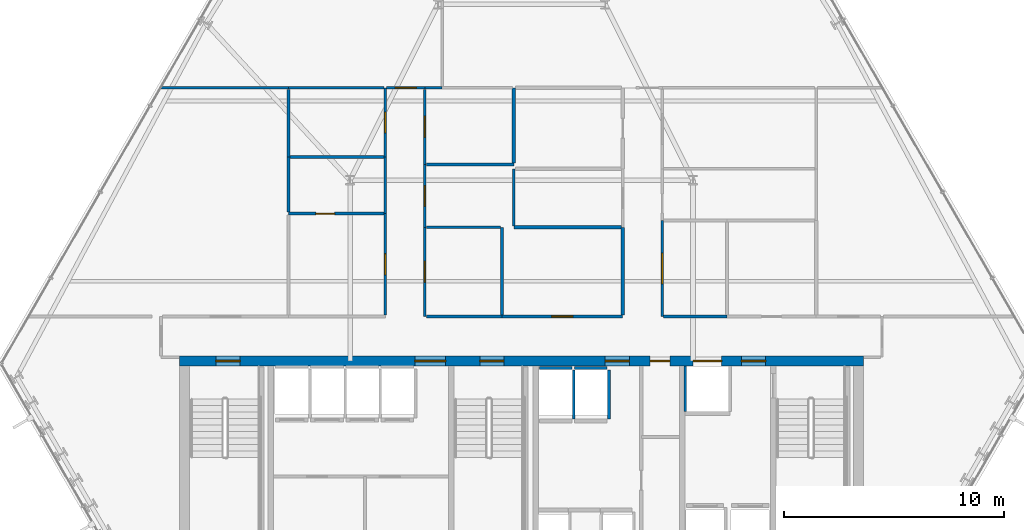
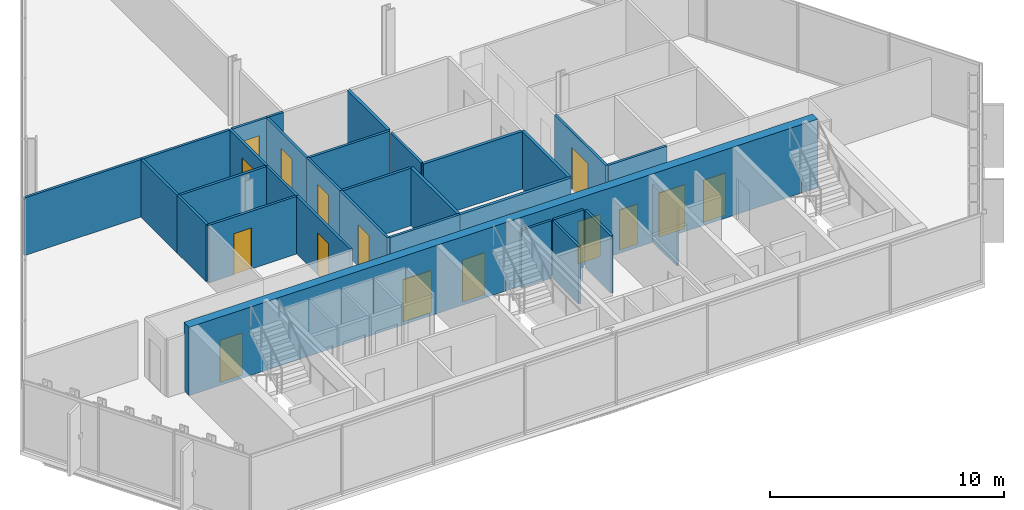
# One storey, part 27 of 33: 31 walls, 16 doors, 16 openings.
"""IFC4 building model written with IfcOpenShell, lengths in metres."""

from ifc_helpers import new_model, si_unit, direction, frame, frame_2d, origin, place, context, subcontext, project, spatial, rectangle, extrude, material, layer, layer_set, type_object, element, fill, save


model = new_model("IFC4")

# Units and contexts
model_context = context("Model", 3, precision=1e-05, world=origin(), true_north=direction((0.0, 1.0)))
body_context = subcontext(model_context, "Body", "Model", "MODEL_VIEW")
ifc_project = project(units=[si_unit("LENGTHUNIT", "METRE"), si_unit("AREAUNIT", "SQUARE_METRE"), si_unit("VOLUMEUNIT", "CUBIC_METRE"), si_unit("PLANEANGLEUNIT", "RADIAN"), si_unit("MASSUNIT", "GRAM", prefix="KILO")], contexts=[model_context])

# Site, building, storey
site_placement = place(None, origin())
site = spatial("IfcSite", under=ifc_project, at=site_placement, CompositionType="ELEMENT")
building_placement = place(site_placement, origin())
building = spatial("IfcBuilding", under=site, at=building_placement, Name="Ndaravel Arena Tower", CompositionType="ELEMENT")
storey_placement = place(building_placement, frame((0.0, 0.0, 153.60009765625)))
storey = spatial("IfcBuildingStorey", under=building, at=storey_placement, Name="L36", CompositionType="ELEMENT", Elevation=153.60009765625)

# Wall, openings, doors
ifc_material_1 = material(Name="Concrete C60/75", Category="concrete")
ifc_layer_1 = layer(ifc_material_1, 0.449951171875)
ifc_layer_set_1 = layer_set([ifc_layer_1], Name="Concrete C60/75")
wall_type_1 = type_object("IfcWallType", Name="WALL-CORE-450", PredefinedType="SOLIDWALL", material=ifc_layer_set_1)
wall_1_placement = place(storey_placement, frame((26.449951171875, 14.97509765625, 0.0), z_axis=(0.0, 0.0, 1.0), x_axis=(1.0, 0.0, 0.0)))
wall_1 = element("IfcWall", 1, at=wall_1_placement, inside=storey, type_object=wall_type_1, Name="L36 Core North Shear Wall", PredefinedType="SOLIDWALL", context=body_context, shape_type="SweptSolid", body=[
    extrude(rectangle(XDim=31.10009765625, YDim=0.449951171875, at=frame_2d((15.550048828125, 0.0))), origin(), (0.0, 0.0, 1.0), 3.579833984375),
])
opening_1_placement = place(wall_1_placement, frame((1.64990234375, 0.0, 0.0)))
opening_1 = element("IfcOpeningElement", 2, at=opening_1_placement, cuts=wall_1, Name="Opening FD-01", PredefinedType="OPENING", context=body_context, shape_type="SweptSolid", body=[
    extrude(rectangle(XDim=1.10009765625, YDim=2.199951171875, at=frame_2d((0.550048828125, 1.10009765625))), frame((0.0, 0.22509765625, 0.0), z_axis=(0.0, -1.0, 0.0), x_axis=(1.0, 0.0, 0.0)), (0.0, 0.0, 1.0), 0.449951171875),
])
opening_2_placement = place(wall_1_placement, frame((13.64990234375, 0.0, 0.0)))
opening_2 = element("IfcOpeningElement", 3, at=opening_2_placement, cuts=wall_1, Name="Opening FD-01", PredefinedType="OPENING", context=body_context, shape_type="SweptSolid", body=[
    extrude(rectangle(XDim=1.10009765625, YDim=2.199951171875, at=frame_2d((0.550048828125, 1.10009765625))), frame((0.0, 0.22509765625, 0.0), z_axis=(0.0, -1.0, 0.0), x_axis=(1.0, 0.0, 0.0)), (0.0, 0.0, 1.0), 0.449951171875),
])
opening_3_placement = place(wall_1_placement, frame((25.550048828125, 0.0, 0.0)))
opening_3 = element("IfcOpeningElement", 4, at=opening_3_placement, cuts=wall_1, Name="Opening FD-01", PredefinedType="OPENING", context=body_context, shape_type="SweptSolid", body=[
    extrude(rectangle(XDim=1.10009765625, YDim=2.199951171875, at=frame_2d((0.550048828125, 1.10009765625))), frame((0.0, 0.22509765625, 0.0), z_axis=(0.0, -1.0, 0.0), x_axis=(1.0, 0.0, 0.0)), (0.0, 0.0, 1.0), 0.449951171875),
])
opening_4_placement = place(wall_1_placement, frame((10.699951171875, 0.0, 0.0)))
opening_4 = element("IfcOpeningElement", 5, at=opening_4_placement, cuts=wall_1, Name="Opening ID-02", PredefinedType="OPENING", context=body_context, shape_type="SweptSolid", body=[
    extrude(rectangle(XDim=1.39990234375, YDim=2.199951171875, at=frame_2d((0.699951171875, 1.10009765625))), frame((0.0, 0.22509765625, 0.0), z_axis=(0.0, -1.0, 0.0), x_axis=(1.0, 0.0, 0.0)), (0.0, 0.0, 1.0), 0.449951171875),
])
opening_5_placement = place(wall_1_placement, frame((19.35009765625, 0.0, 0.0)))
opening_5 = element("IfcOpeningElement", 6, at=opening_5_placement, cuts=wall_1, Name="Opening FD-01", PredefinedType="OPENING", context=body_context, shape_type="SweptSolid", body=[
    extrude(rectangle(XDim=1.10009765625, YDim=2.199951171875, at=frame_2d((0.550048828125, 1.10009765625))), frame((0.0, 0.22509765625, 0.0), z_axis=(0.0, -1.0, 0.0), x_axis=(1.0, 0.0, 0.0)), (0.0, 0.0, 1.0), 0.449951171875),
])
opening_6_placement = place(wall_1_placement, frame((21.39990234375, 0.0, 0.0)))
opening_6 = element("IfcOpeningElement", 7, at=opening_6_placement, cuts=wall_1, Name="Opening RD-01", PredefinedType="OPENING", context=body_context, shape_type="SweptSolid", body=[
    extrude(rectangle(XDim=0.89990234375, YDim=2.10009765625, at=frame_2d((0.449951171875, 1.050048828125))), frame((0.0, 0.22509765625, 0.0), z_axis=(0.0, -1.0, 0.0), x_axis=(1.0, 0.0, 0.0)), (0.0, 0.0, 1.0), 0.449951171875),
])
opening_7_placement = place(wall_1_placement, frame((23.35009765625, 0.0, 0.0)))
opening_7 = element("IfcOpeningElement", 8, at=opening_7_placement, cuts=wall_1, Name="Opening LD-02", PredefinedType="OPENING", context=body_context, shape_type="SweptSolid", body=[
    extrude(rectangle(XDim=1.300048828125, YDim=2.300048828125, at=frame_2d((0.64990234375, 1.14990234375))), frame((0.0, 0.22509765625, 0.0), z_axis=(0.0, -1.0, 0.0), x_axis=(1.0, 0.0, 0.0)), (0.0, 0.0, 1.0), 0.449951171875),
])
ifc_material_2 = material(Name="Steel S355", Category="steel")
door_type_1 = type_object("IfcDoorType", Name="DT-01-STAIR-1100", OperationType="SINGLE_SWING_LEFT", PredefinedType="DOOR", material=ifc_material_2)
door_1_placement = place(opening_1_placement, origin())
door_1 = element("IfcDoor", 9, at=door_1_placement, inside=storey, type_object=door_type_1, Name="L36 Exit Stair ST-1 Door", OperationType="SINGLE_SWING_LEFT", OverallHeight=2.199951171875, OverallWidth=1.10009765625, PredefinedType="DOOR", context=body_context, shape_type="SweptSolid", body=[
    extrude(rectangle(XDim=1.10009765625, YDim=2.199951171875, at=frame_2d((0.550048828125, 1.10009765625))), frame((0.0, 0.02490234375, 0.0), z_axis=(0.0, -1.0, 0.0), x_axis=(1.0, 0.0, 0.0)), (0.0, 0.0, 1.0), 0.050048828125),
])
fill(opening_1, door_1)
door_2_placement = place(opening_2_placement, origin())
door_2 = element("IfcDoor", 10, at=door_2_placement, inside=storey, type_object=door_type_1, Name="L36 Exit Stair ST-2 Door", OperationType="SINGLE_SWING_RIGHT", OverallHeight=2.199951171875, OverallWidth=1.10009765625, PredefinedType="DOOR", context=body_context, shape_type="SweptSolid", body=[
    extrude(rectangle(XDim=1.10009765625, YDim=2.199951171875, at=frame_2d((0.550048828125, 1.10009765625))), frame((0.0, 0.02490234375, 0.0), z_axis=(0.0, -1.0, 0.0), x_axis=(1.0, 0.0, 0.0)), (0.0, 0.0, 1.0), 0.050048828125),
])
fill(opening_2, door_2)
door_3_placement = place(opening_3_placement, origin())
door_3 = element("IfcDoor", 11, at=door_3_placement, inside=storey, type_object=door_type_1, Name="L36 Firefighting Lift Lobby Door", OperationType="SINGLE_SWING_RIGHT", OverallHeight=2.199951171875, OverallWidth=1.10009765625, PredefinedType="DOOR", context=body_context, shape_type="SweptSolid", body=[
    extrude(rectangle(XDim=1.10009765625, YDim=2.199951171875, at=frame_2d((0.550048828125, 1.10009765625))), frame((0.0, 0.02490234375, 0.0), z_axis=(0.0, -1.0, 0.0), x_axis=(1.0, 0.0, 0.0)), (0.0, 0.0, 1.0), 0.050048828125),
])
fill(opening_3, door_3)
door_4_placement = place(opening_5_placement, origin())
door_4 = element("IfcDoor", 12, at=door_4_placement, inside=storey, type_object=door_type_1, Name="L36 Express Lift Lobby Entry Door", OperationType="SINGLE_SWING_LEFT", OverallHeight=2.199951171875, OverallWidth=1.10009765625, PredefinedType="DOOR", context=body_context, shape_type="SweptSolid", body=[
    extrude(rectangle(XDim=1.10009765625, YDim=2.199951171875, at=frame_2d((0.550048828125, 1.10009765625))), frame((0.0, 0.02490234375, 0.0), z_axis=(0.0, -1.0, 0.0), x_axis=(1.0, 0.0, 0.0)), (0.0, 0.0, 1.0), 0.050048828125),
])
fill(opening_5, door_4)
ifc_material_3 = material(Name="Timber", Category="wood")
door_type_2 = type_object("IfcDoorType", Name="DT-04-SUITE-1400", OperationType="DOUBLE_DOOR_SINGLE_SWING", PredefinedType="DOOR", material=ifc_material_3)
door_5_placement = place(opening_4_placement, origin())
door_5 = element("IfcDoor", 13, at=door_5_placement, inside=storey, type_object=door_type_2, Name="L36 West Lift Lobby Entry Door", OperationType="DOUBLE_DOOR_SINGLE_SWING", OverallHeight=2.199951171875, OverallWidth=1.39990234375, PredefinedType="DOOR", context=body_context, shape_type="SweptSolid", body=[
    extrude(rectangle(XDim=1.39990234375, YDim=2.199951171875, at=frame_2d((0.699951171875, 1.10009765625))), frame((0.0, 0.02490234375, 0.0), z_axis=(0.0, -1.0, 0.0), x_axis=(1.0, 0.0, 0.0)), (0.0, 0.0, 1.0), 0.050048828125),
])
fill(opening_4, door_5)
ifc_material_4 = material(Name="Steel S355", Category="steel")
door_type_3 = type_object("IfcDoorType", Name="DT-07-SVLIFT-1300", OperationType="DOUBLE_DOOR_SLIDING", PredefinedType="DOOR", material=ifc_material_4)
door_6_placement = place(opening_7_placement, origin())
door_6 = element("IfcDoor", 14, at=door_6_placement, inside=storey, type_object=door_type_3, Name="L36 Lift SVL-1 Sliding Landing Door", OperationType="DOUBLE_DOOR_SLIDING", OverallHeight=2.300048828125, OverallWidth=1.300048828125, PredefinedType="DOOR", context=body_context, shape_type="SweptSolid", body=[
    extrude(rectangle(XDim=1.300048828125, YDim=2.300048828125, at=frame_2d((0.64990234375, 1.14990234375))), frame((0.0, 0.02490234375, 0.0), z_axis=(0.0, -1.0, 0.0), x_axis=(1.0, 0.0, 0.0)), (0.0, 0.0, 1.0), 0.050048828125),
])
fill(opening_7, door_6)
ifc_material_5 = material(Name="Steel S355", Category="steel")
door_type_4 = type_object("IfcDoorType", Name="DT-08-RISER-900", OperationType="SINGLE_SWING_LEFT", PredefinedType="DOOR", material=ifc_material_5)
door_7_placement = place(opening_6_placement, origin())
door_7 = element("IfcDoor", 15, at=door_7_placement, inside=storey, type_object=door_type_4, Name="L36 Core Service Riser North Door", OperationType="SINGLE_SWING_LEFT", OverallHeight=2.10009765625, OverallWidth=0.89990234375, PredefinedType="DOOR", context=body_context, shape_type="SweptSolid", body=[
    extrude(rectangle(XDim=0.89990234375, YDim=2.10009765625, at=frame_2d((0.449951171875, 1.050048828125))), frame((0.0, 0.02490234375, 0.0), z_axis=(0.0, -1.0, 0.0), x_axis=(1.0, 0.0, 0.0)), (0.0, 0.0, 1.0), 0.050048828125),
])
fill(opening_6, door_7)

# Wall, opening, door
ifc_material_6 = material(Name="Gypsum", Category="gypsum")
ifc_layer_2 = layer(ifc_material_6, 0.125)
ifc_layer_set_2 = layer_set([ifc_layer_2], Name="Gypsum")
wall_type_2 = type_object("IfcWallType", Name="WALL-PART-125", PredefinedType="PARTITIONING", material=ifc_layer_set_2)
wall_2_placement = place(storey_placement, frame((35.800048828125, 17.06494140625, 0.0), z_axis=(0.0, 0.0, 1.0), x_axis=(0.0, 1.0, 0.0)))
wall_2 = element("IfcWall", 16, at=wall_2_placement, inside=storey, type_object=wall_type_2, Name="L36 Interior Partition 007", PredefinedType="PARTITIONING", context=body_context, shape_type="SweptSolid", body=[
    extrude(rectangle(XDim=4.614990234375, YDim=0.125, at=frame_2d((2.3076171875, 0.0))), origin(), (0.0, 0.0, 1.0), 3.010498046875),
])
opening_8_placement = place(wall_2_placement, frame((1.83251953125, 0.0, 0.0)))
opening_8 = element("IfcOpeningElement", 17, at=opening_8_placement, cuts=wall_2, Name="Opening ID-01", PredefinedType="OPENING", context=body_context, shape_type="SweptSolid", body=[
    extrude(rectangle(XDim=0.949951171875, YDim=2.199951171875, at=frame_2d((0.47509765625, 1.10009765625))), frame((0.0, 0.0625, 0.0), z_axis=(0.0, -1.0, 0.0), x_axis=(1.0, 0.0, 0.0)), (0.0, 0.0, 1.0), 0.125),
])
ifc_material_7 = material(Name="Timber", Category="wood")
door_type_5 = type_object("IfcDoorType", Name="DT-03-OFFICE-950", OperationType="SINGLE_SWING_LEFT", PredefinedType="DOOR", material=ifc_material_7)
door_8_placement = place(opening_8_placement, origin())
door_8 = element("IfcDoor", 18, at=door_8_placement, inside=storey, type_object=door_type_5, Name="L36 Project Seminar Room 3 Door", OperationType="SINGLE_SWING_LEFT", OverallHeight=2.199951171875, OverallWidth=0.949951171875, PredefinedType="DOOR", context=body_context, shape_type="SweptSolid", body=[
    extrude(rectangle(XDim=0.949951171875, YDim=2.199951171875, at=frame_2d((0.47509765625, 1.10009765625))), frame((0.0, 0.02490234375, 0.0), z_axis=(0.0, -1.0, 0.0), x_axis=(1.0, 0.0, 0.0)), (0.0, 0.0, 1.0), 0.050048828125),
])
fill(opening_8, door_8)

# Wall
wall_3_placement = place(storey_placement, frame((35.800048828125, 21.679931640625, 0.0), z_axis=(0.0, 0.0, 1.0), x_axis=(0.0, 1.0, 0.0)))
element("IfcWall", 19, at=wall_3_placement, inside=storey, type_object=wall_type_2, Name="L36 Interior Partition 008", PredefinedType="PARTITIONING", context=body_context, shape_type="SweptSolid", body=[
    extrude(rectangle(XDim=2.573974609375, YDim=0.125, at=frame_2d((1.287109375, 0.0))), origin(), (0.0, 0.0, 1.0), 3.010498046875),
])

# Wall, opening, door
wall_4_placement = place(storey_placement, frame((35.800048828125, 24.25390625, 0.0), z_axis=(0.0, 0.0, 1.0), x_axis=(0.0, 1.0, 0.0)))
wall_4 = element("IfcWall", 20, at=wall_4_placement, inside=storey, type_object=wall_type_2, Name="L36 Interior Partition 009", PredefinedType="PARTITIONING", context=body_context, shape_type="SweptSolid", body=[
    extrude(rectangle(XDim=3.14599609375, YDim=0.125, at=frame_2d((1.572998046875, 0.0))), origin(), (0.0, 0.0, 1.0), 3.010498046875),
])
opening_9_placement = place(wall_4_placement, frame((1.097900390625, 0.0, 0.0)))
opening_9 = element("IfcOpeningElement", 21, at=opening_9_placement, cuts=wall_4, Name="Opening ID-01", PredefinedType="OPENING", context=body_context, shape_type="SweptSolid", body=[
    extrude(rectangle(XDim=0.949951171875, YDim=2.199951171875, at=frame_2d((0.47509765625, 1.10009765625))), frame((0.0, 0.0625, 0.0), z_axis=(0.0, -1.0, 0.0), x_axis=(1.0, 0.0, 0.0)), (0.0, 0.0, 1.0), 0.125),
])
door_9_placement = place(opening_9_placement, origin())
door_9 = element("IfcDoor", 22, at=door_9_placement, inside=storey, type_object=door_type_5, Name="L36 Project Seminar Room 7 Door", OperationType="SINGLE_SWING_LEFT", OverallHeight=2.199951171875, OverallWidth=0.949951171875, PredefinedType="DOOR", context=body_context, shape_type="SweptSolid", body=[
    extrude(rectangle(XDim=0.949951171875, YDim=2.199951171875, at=frame_2d((0.47509765625, 1.10009765625))), frame((0.0, 0.02490234375, 0.0), z_axis=(0.0, -1.0, 0.0), x_axis=(1.0, 0.0, 0.0)), (0.0, 0.0, 1.0), 0.050048828125),
])
fill(opening_9, door_9)

wall_5_placement = place(storey_placement, frame((35.864990234375, 27.39990234375, 0.0), z_axis=(0.0, 0.0, 1.0), x_axis=(1.0, 0.0, 0.0)))
wall_5 = element("IfcWall", 23, at=wall_5_placement, inside=storey, type_object=wall_type_2, Name="L36 Interior Partition 010", PredefinedType="PARTITIONING", context=body_context, shape_type="SweptSolid", body=[
    extrude(rectangle(XDim=1.735107421875, YDim=0.125, at=frame_2d((0.86767578125, 0.0))), origin(), (0.0, 0.0, 1.0), 3.010498046875),
])
opening_10_placement = place(wall_5_placement, frame((0.392578125, 0.0, 0.0)))
opening_10 = element("IfcOpeningElement", 24, at=opening_10_placement, cuts=wall_5, Name="Opening ID-01", PredefinedType="OPENING", context=body_context, shape_type="SweptSolid", body=[
    extrude(rectangle(XDim=0.949951171875, YDim=2.199951171875, at=frame_2d((0.47509765625, 1.10009765625))), frame((0.0, 0.0625, 0.0), z_axis=(0.0, -1.0, 0.0), x_axis=(1.0, 0.0, 0.0)), (0.0, 0.0, 1.0), 0.125),
])
door_10_placement = place(opening_10_placement, origin())
door_10 = element("IfcDoor", 25, at=door_10_placement, inside=storey, type_object=door_type_5, Name="L36 Tenant Reception Suite 7 Door", OperationType="SINGLE_SWING_RIGHT", OverallHeight=2.199951171875, OverallWidth=0.949951171875, PredefinedType="DOOR", context=body_context, shape_type="SweptSolid", body=[
    extrude(rectangle(XDim=0.949951171875, YDim=2.199951171875, at=frame_2d((0.47509765625, 1.10009765625))), frame((0.0, 0.02490234375, 0.0), z_axis=(0.0, -1.0, 0.0), x_axis=(1.0, 0.0, 0.0)), (0.0, 0.0, 1.0), 0.050048828125),
])
fill(opening_10, door_10)

wall_6_placement = place(storey_placement, frame((37.60009765625, 27.3349609375, 0.0), z_axis=(0.0, 0.0, 1.0), x_axis=(0.0, -1.0, 0.0)))
wall_6 = element("IfcWall", 26, at=wall_6_placement, inside=storey, type_object=wall_type_2, Name="L36 Interior Partition 011", PredefinedType="PARTITIONING", context=body_context, shape_type="SweptSolid", body=[
    extrude(rectangle(XDim=3.424072265625, YDim=0.125, at=frame_2d((1.7119140625, 0.0))), origin(), (0.0, 0.0, 1.0), 3.010498046875),
])
opening_11_placement = place(wall_6_placement, frame((1.237060546875, 0.0, 0.0)))
opening_11 = element("IfcOpeningElement", 27, at=opening_11_placement, cuts=wall_6, Name="Opening ID-01", PredefinedType="OPENING", context=body_context, shape_type="SweptSolid", body=[
    extrude(rectangle(XDim=0.949951171875, YDim=2.199951171875, at=frame_2d((0.47509765625, 1.10009765625))), frame((0.0, 0.0625, 0.0), z_axis=(0.0, -1.0, 0.0), x_axis=(1.0, 0.0, 0.0)), (0.0, 0.0, 1.0), 0.125),
])
door_11_placement = place(opening_11_placement, origin())
door_11 = element("IfcDoor", 28, at=door_11_placement, inside=storey, type_object=door_type_5, Name="L36 Concierge Arrival Salon 6 Door", OperationType="SINGLE_SWING_RIGHT", OverallHeight=2.199951171875, OverallWidth=0.949951171875, PredefinedType="DOOR", context=body_context, shape_type="SweptSolid", body=[
    extrude(rectangle(XDim=0.949951171875, YDim=2.199951171875, at=frame_2d((0.47509765625, 1.10009765625))), frame((0.0, 0.02490234375, 0.0), z_axis=(0.0, -1.0, 0.0), x_axis=(1.0, 0.0, 0.0)), (0.0, 0.0, 1.0), 0.050048828125),
])
fill(opening_11, door_11)

wall_7_placement = place(storey_placement, frame((37.60009765625, 23.910888671875, 0.0), z_axis=(0.0, 0.0, 1.0), x_axis=(0.0, -1.0, 0.0)))
wall_7 = element("IfcWall", 29, at=wall_7_placement, inside=storey, type_object=wall_type_2, Name="L36 Interior Partition 012", PredefinedType="PARTITIONING", context=body_context, shape_type="SweptSolid", body=[
    extrude(rectangle(XDim=2.85498046875, YDim=0.125, at=frame_2d((1.427490234375, 0.0))), origin(), (0.0, 0.0, 1.0), 3.010498046875),
])
opening_12_placement = place(wall_7_placement, frame((0.952392578125, 0.0, 0.0)))
opening_12 = element("IfcOpeningElement", 30, at=opening_12_placement, cuts=wall_7, Name="Opening ID-01", PredefinedType="OPENING", context=body_context, shape_type="SweptSolid", body=[
    extrude(rectangle(XDim=0.949951171875, YDim=2.199951171875, at=frame_2d((0.47509765625, 1.10009765625))), frame((0.0, 0.0625, 0.0), z_axis=(0.0, -1.0, 0.0), x_axis=(1.0, 0.0, 0.0)), (0.0, 0.0, 1.0), 0.125),
])
door_12_placement = place(opening_12_placement, origin())
door_12 = element("IfcDoor", 31, at=door_12_placement, inside=storey, type_object=door_type_5, Name="L36 Client Concierge Parlour 4 Door", OperationType="SINGLE_SWING_LEFT", OverallHeight=2.199951171875, OverallWidth=0.949951171875, PredefinedType="DOOR", context=body_context, shape_type="SweptSolid", body=[
    extrude(rectangle(XDim=0.949951171875, YDim=2.199951171875, at=frame_2d((0.47509765625, 1.10009765625))), frame((0.0, 0.02490234375, 0.0), z_axis=(0.0, -1.0, 0.0), x_axis=(1.0, 0.0, 0.0)), (0.0, 0.0, 1.0), 0.050048828125),
])
fill(opening_12, door_12)

wall_8_placement = place(storey_placement, frame((37.60009765625, 21.055908203125, 0.0), z_axis=(0.0, 0.0, 1.0), x_axis=(0.0, -1.0, 0.0)))
wall_8 = element("IfcWall", 32, at=wall_8_placement, inside=storey, type_object=wall_type_2, Name="L36 Interior Partition 013", PredefinedType="PARTITIONING", context=body_context, shape_type="SweptSolid", body=[
    extrude(rectangle(XDim=4.055908203125, YDim=0.125, at=frame_2d((2.02783203125, 0.0))), origin(), (0.0, 0.0, 1.0), 3.010498046875),
])
opening_13_placement = place(wall_8_placement, frame((1.552978515625, 0.0, 0.0)))
opening_13 = element("IfcOpeningElement", 33, at=opening_13_placement, cuts=wall_8, Name="Opening ID-01", PredefinedType="OPENING", context=body_context, shape_type="SweptSolid", body=[
    extrude(rectangle(XDim=0.949951171875, YDim=2.199951171875, at=frame_2d((0.47509765625, 1.10009765625))), frame((0.0, 0.0625, 0.0), z_axis=(0.0, -1.0, 0.0), x_axis=(1.0, 0.0, 0.0)), (0.0, 0.0, 1.0), 0.125),
])
door_13_placement = place(opening_13_placement, origin())
door_13 = element("IfcDoor", 34, at=door_13_placement, inside=storey, type_object=door_type_5, Name="L36 Floor Security Control Room Door", OperationType="SINGLE_SWING_LEFT", OverallHeight=2.199951171875, OverallWidth=0.949951171875, PredefinedType="DOOR", context=body_context, shape_type="SweptSolid", body=[
    extrude(rectangle(XDim=0.949951171875, YDim=2.199951171875, at=frame_2d((0.47509765625, 1.10009765625))), frame((0.0, 0.02490234375, 0.0), z_axis=(0.0, -1.0, 0.0), x_axis=(1.0, 0.0, 0.0)), (0.0, 0.0, 1.0), 0.050048828125),
])
fill(opening_13, door_13)

# Wall
wall_9_placement = place(storey_placement, frame((37.6650390625, 17.0, 0.0), z_axis=(0.0, 0.0, 1.0), x_axis=(1.0, 0.0, 0.0)))
element("IfcWall", 35, at=wall_9_placement, inside=storey, type_object=wall_type_2, Name="L36 Interior Partition 014", PredefinedType="PARTITIONING", context=body_context, shape_type="SweptSolid", body=[
    extrude(rectangle(XDim=3.445068359375, YDim=0.125, at=frame_2d((1.72265625, 0.0))), origin(), (0.0, 0.0, 1.0), 3.010498046875),
])

# Wall, opening, door
wall_10_placement = place(storey_placement, frame((48.39990234375, 21.367919921875, 0.0), z_axis=(0.0, 0.0, 1.0), x_axis=(0.0, -1.0, 0.0)))
wall_10 = element("IfcWall", 36, at=wall_10_placement, inside=storey, type_object=wall_type_2, Name="L36 Interior Partition 022", PredefinedType="PARTITIONING", context=body_context, shape_type="SweptSolid", body=[
    extrude(rectangle(XDim=4.367919921875, YDim=0.125, at=frame_2d((2.18408203125, 0.0))), origin(), (0.0, 0.0, 1.0), 3.010498046875),
])
opening_14_placement = place(wall_10_placement, frame((1.48388671875, 0.0, 0.0)))
opening_14 = element("IfcOpeningElement", 37, at=opening_14_placement, cuts=wall_10, Name="Opening ID-02", PredefinedType="OPENING", context=body_context, shape_type="SweptSolid", body=[
    extrude(rectangle(XDim=1.39990234375, YDim=2.199951171875, at=frame_2d((0.699951171875, 1.10009765625))), frame((0.0, 0.0625, 0.0), z_axis=(0.0, -1.0, 0.0), x_axis=(1.0, 0.0, 0.0)), (0.0, 0.0, 1.0), 0.125),
])
door_14_placement = place(opening_14_placement, origin())
door_14 = element("IfcDoor", 38, at=door_14_placement, inside=storey, type_object=door_type_2, Name="L36 Client Conference Room 2 Door", OperationType="SINGLE_SWING_LEFT", OverallHeight=2.199951171875, OverallWidth=1.39990234375, PredefinedType="DOOR", context=body_context, shape_type="SweptSolid", body=[
    extrude(rectangle(XDim=1.39990234375, YDim=2.199951171875, at=frame_2d((0.699951171875, 1.10009765625))), frame((0.0, 0.02490234375, 0.0), z_axis=(0.0, -1.0, 0.0), x_axis=(1.0, 0.0, 0.0)), (0.0, 0.0, 1.0), 0.050048828125),
])
fill(opening_14, door_14)

# Walls
wall_11_placement = place(storey_placement, frame((48.465087890625, 17.0, 0.0), z_axis=(0.0, 0.0, 1.0), x_axis=(1.0, 0.0, 0.0)))
element("IfcWall", 39, at=wall_11_placement, inside=storey, type_object=wall_type_2, Name="L36 Interior Partition 023", PredefinedType="PARTITIONING", context=body_context, shape_type="SweptSolid", body=[
    extrude(rectangle(XDim=2.875, YDim=0.125, at=frame_2d((1.4375, 0.0))), origin(), (0.0, 0.0, 1.0), 3.010498046875),
])
wall_12_placement = place(storey_placement, frame((37.6650390625, 21.055908203125, 0.0), z_axis=(0.0, 0.0, 1.0), x_axis=(1.0, 0.0, 0.0)))
element("IfcWall", 40, at=wall_12_placement, inside=storey, type_object=wall_type_2, Name="L36 Interior Partition 029", PredefinedType="PARTITIONING", context=body_context, shape_type="SweptSolid", body=[
    extrude(rectangle(XDim=3.3798828125, YDim=0.125, at=frame_2d((1.68994140625, 0.0))), origin(), (0.0, 0.0, 1.0), 3.010498046875),
])
wall_13_placement = place(storey_placement, frame((25.58056640625, 27.39990234375, 0.0), z_axis=(0.0, 0.0, 1.0), x_axis=(1.0, 0.0, 0.0)))
element("IfcWall", 41, at=wall_13_placement, inside=storey, type_object=wall_type_2, Name="L36 Interior Partition 040", PredefinedType="PARTITIONING", context=body_context, shape_type="SweptSolid", body=[
    extrude(rectangle(XDim=5.8193359375, YDim=0.125, at=frame_2d((2.90966796875, 0.0))), origin(), (0.0, 0.0, 1.0), 3.010498046875),
])
wall_14_placement = place(storey_placement, frame((31.39990234375, 27.3349609375, 0.0), z_axis=(0.0, 0.0, 1.0), x_axis=(0.0, -1.0, 0.0)))
element("IfcWall", 42, at=wall_14_placement, inside=storey, type_object=wall_type_2, Name="L36 Interior Partition 041", PredefinedType="PARTITIONING", context=body_context, shape_type="SweptSolid", body=[
    extrude(rectangle(XDim=3.0810546875, YDim=0.125, at=frame_2d((1.54052734375, 0.0))), origin(), (0.0, 0.0, 1.0), 3.010498046875),
])
wall_15_placement = place(storey_placement, frame((31.39990234375, 24.25390625, 0.0), z_axis=(0.0, 0.0, 1.0), x_axis=(0.0, -1.0, 0.0)))
element("IfcWall", 43, at=wall_15_placement, inside=storey, type_object=wall_type_2, Name="L36 Interior Partition 042", PredefinedType="PARTITIONING", context=body_context, shape_type="SweptSolid", body=[
    extrude(rectangle(XDim=2.5087890625, YDim=0.125, at=frame_2d((1.25439453125, 0.0))), origin(), (0.0, 0.0, 1.0), 3.010498046875),
])
wall_16_placement = place(storey_placement, frame((41.64990234375, 21.12109375, 0.0), z_axis=(0.0, 0.0, 1.0), x_axis=(0.0, 1.0, 0.0)))
element("IfcWall", 44, at=wall_16_placement, inside=storey, type_object=wall_type_2, Name="L36 Interior Partition 043", PredefinedType="PARTITIONING", context=body_context, shape_type="SweptSolid", body=[
    extrude(rectangle(XDim=2.599365234375, YDim=0.125, at=frame_2d((1.2998046875, 0.0))), origin(), (0.0, 0.0, 1.0), 3.010498046875),
])
wall_17_placement = place(storey_placement, frame((37.6650390625, 23.910888671875, 0.0), z_axis=(0.0, 0.0, 1.0), x_axis=(1.0, 0.0, 0.0)))
element("IfcWall", 45, at=wall_17_placement, inside=storey, type_object=wall_type_2, Name="L36 Interior Partition 045", PredefinedType="PARTITIONING", context=body_context, shape_type="SweptSolid", body=[
    extrude(rectangle(XDim=3.98486328125, YDim=0.125, at=frame_2d((1.992431640625, 0.0))), origin(), (0.0, 0.0, 1.0), 3.010498046875),
])
wall_18_placement = place(storey_placement, frame((31.465087890625, 24.25390625, 0.0), z_axis=(0.0, 0.0, 1.0), x_axis=(1.0, 0.0, 0.0)))
element("IfcWall", 46, at=wall_18_placement, inside=storey, type_object=wall_type_2, Name="L36 Interior Partition 047", PredefinedType="PARTITIONING", context=body_context, shape_type="SweptSolid", body=[
    extrude(rectangle(XDim=4.27001953125, YDim=0.125, at=frame_2d((2.135009765625, 0.0))), origin(), (0.0, 0.0, 1.0), 3.010498046875),
])
wall_19_placement = place(storey_placement, frame((37.60009765625, 27.39990234375, 0.0), z_axis=(0.0, 0.0, 1.0), x_axis=(1.0, 0.0, 0.0)))
element("IfcWall", 47, at=wall_19_placement, inside=storey, type_object=wall_type_2, Name="L36 Interior Partition 051", PredefinedType="PARTITIONING", context=body_context, shape_type="SweptSolid", body=[
    extrude(rectangle(XDim=0.78759765625, YDim=0.125, at=frame_2d((0.393798828125, 0.0))), origin(), (0.0, 0.0, 1.0), 3.010498046875),
])
wall_20_placement = place(storey_placement, frame((31.39990234375, 27.39990234375, 0.0), z_axis=(0.0, 0.0, 1.0), x_axis=(1.0, 0.0, 0.0)))
element("IfcWall", 48, at=wall_20_placement, inside=storey, type_object=wall_type_2, Name="L36 Interior Partition 053", PredefinedType="PARTITIONING", context=body_context, shape_type="SweptSolid", body=[
    extrude(rectangle(XDim=4.335205078125, YDim=0.125, at=frame_2d((2.16748046875, 0.0))), origin(), (0.0, 0.0, 1.0), 3.010498046875),
])
ifc_material_8 = material(Name="Concrete C40/50", Category="concrete")
ifc_layer_3 = layer(ifc_material_8, 0.1201171875)
ifc_layer_set_3 = layer_set([ifc_layer_3], Name="Concrete C40/50")
wall_type_3 = type_object("IfcWallType", Name="WALL-SHAFT-120", PredefinedType="SOLIDWALL", material=ifc_layer_set_3)
wall_21_placement = place(storey_placement, frame((42.804931640625, 14.659912109375, 0.0), z_axis=(0.0, 0.0, 1.0), x_axis=(1.0, 0.0, 0.0)))
element("IfcWall", 49, at=wall_21_placement, inside=storey, type_object=wall_type_3, Name="L36 PL-OBS1 Shaft Rear Wall", PredefinedType="SOLIDWALL", context=body_context, shape_type="SweptSolid", body=[
    extrude(rectangle(XDim=1.489990234375, YDim=0.1201171875, at=frame_2d((0.7451171875, 0.0))), origin(), (0.0, 0.0, 1.0), 3.010498046875),
])
wall_22_placement = place(storey_placement, frame((44.375, 12.340087890625, 0.0), z_axis=(0.0, 0.0, 1.0), x_axis=(0.0, 1.0, 0.0)))
element("IfcWall", 50, at=wall_22_placement, inside=storey, type_object=wall_type_3, Name="L36 PL-OBS1 Shaft Side R Wall", PredefinedType="SOLIDWALL", context=body_context, shape_type="SweptSolid", body=[
    extrude(rectangle(XDim=2.22998046875, YDim=0.1201171875, at=frame_2d((1.114990234375, 0.0))), origin(), (0.0, 0.0, 1.0), 3.010498046875),
])
wall_23_placement = place(storey_placement, frame((44.405029296875, 14.659912109375, 0.0), z_axis=(0.0, 0.0, 1.0), x_axis=(1.0, 0.0, 0.0)))
element("IfcWall", 51, at=wall_23_placement, inside=storey, type_object=wall_type_3, Name="L36 PL-OBS2 Shaft Rear Wall", PredefinedType="SOLIDWALL", context=body_context, shape_type="SweptSolid", body=[
    extrude(rectangle(XDim=1.489990234375, YDim=0.1201171875, at=frame_2d((0.7451171875, 0.0))), origin(), (0.0, 0.0, 1.0), 3.010498046875),
])
wall_24_placement = place(storey_placement, frame((45.97509765625, 12.340087890625, 0.0), z_axis=(0.0, 0.0, 1.0), x_axis=(0.0, 1.0, 0.0)))
element("IfcWall", 52, at=wall_24_placement, inside=storey, type_object=wall_type_3, Name="L36 PL-OBS2 Shaft Side R Wall", PredefinedType="SOLIDWALL", context=body_context, shape_type="SweptSolid", body=[
    extrude(rectangle(XDim=2.22998046875, YDim=0.1201171875, at=frame_2d((1.114990234375, 0.0))), origin(), (0.0, 0.0, 1.0), 3.010498046875),
])
wall_25_placement = place(storey_placement, frame((49.43994140625, 12.68994140625, 0.0), z_axis=(0.0, 0.0, 1.0), x_axis=(0.0, 1.0, 0.0)))
element("IfcWall", 53, at=wall_25_placement, inside=storey, type_object=wall_type_3, Name="L36 SVL-1 Shaft W Wall", PredefinedType="SOLIDWALL", context=body_context, shape_type="SweptSolid", body=[
    extrude(rectangle(XDim=2.070068359375, YDim=0.1201171875, at=frame_2d((1.03515625, 0.0))), origin(), (0.0, 0.0, 1.0), 3.010498046875),
])

# Wall, opening, door
ifc_material_9 = material(Name="Masonry", Category="masonry")
ifc_layer_4 = layer(ifc_material_9, 0.14990234375)
ifc_layer_set_4 = layer_set([ifc_layer_4], Name="Masonry")
wall_type_4 = type_object("IfcWallType", Name="WALL-WET-150", PredefinedType="PARTITIONING", material=ifc_layer_set_4)
wall_26_placement = place(storey_placement, frame((41.110107421875, 17.0, 0.0), z_axis=(0.0, 0.0, 1.0), x_axis=(1.0, 0.0, 0.0)))
wall_26 = element("IfcWall", 54, at=wall_26_placement, inside=storey, type_object=wall_type_4, Name="L36 Interior Partition 015", PredefinedType="PARTITIONING", context=body_context, shape_type="SweptSolid", body=[
    extrude(rectangle(XDim=5.489990234375, YDim=0.14990234375, at=frame_2d((2.7451171875, 0.0))), origin(), (0.0, 0.0, 1.0), 3.010498046875),
])
opening_15_placement = place(wall_26_placement, frame((2.27001953125, 0.0, 0.0)))
opening_15 = element("IfcOpeningElement", 55, at=opening_15_placement, cuts=wall_26, Name="Opening FD-03", PredefinedType="OPENING", context=body_context, shape_type="SweptSolid", body=[
    extrude(rectangle(XDim=0.949951171875, YDim=2.199951171875, at=frame_2d((0.47509765625, 1.10009765625))), frame((0.0, 0.074951171875, 0.0), z_axis=(0.0, -1.0, 0.0), x_axis=(1.0, 0.0, 0.0)), (0.0, 0.0, 1.0), 0.14990234375),
])
ifc_material_10 = material(Name="Steel S355", Category="steel")
door_type_6 = type_object("IfcDoorType", Name="DT-11-CORE-950", OperationType="SINGLE_SWING_LEFT", PredefinedType="DOOR", material=ifc_material_10)
door_15_placement = place(opening_15_placement, origin())
door_15 = element("IfcDoor", 56, at=door_15_placement, inside=storey, type_object=door_type_6, Name="L36 Staff Espresso Kitchen Door", OperationType="SINGLE_SWING_RIGHT", OverallHeight=2.199951171875, OverallWidth=0.949951171875, PredefinedType="DOOR", context=body_context, shape_type="SweptSolid", body=[
    extrude(rectangle(XDim=0.949951171875, YDim=2.199951171875, at=frame_2d((0.47509765625, 1.10009765625))), frame((0.0, 0.02490234375, 0.0), z_axis=(0.0, -1.0, 0.0), x_axis=(1.0, 0.0, 0.0)), (0.0, 0.0, 1.0), 0.050048828125),
])
fill(opening_15, door_15)

# Walls
for number, where, z_axis, x_axis, name in (
    (57, (46.60009765625, 17.06494140625, 0.0), (0.0, 0.0, 1.0), (0.0, 1.0, 0.0), "L36 Interior Partition 016"),
    (58, (41.110107421875, 21.055908203125, 0.0), (0.0, 0.0, 1.0), (0.0, -1.0, 0.0), "L36 Interior Partition 028"),
):
    element("IfcWall", number, at=place(storey_placement, frame(where, z_axis=z_axis, x_axis=x_axis)), inside=storey, type_object=wall_type_4, Name=name, PredefinedType="PARTITIONING", context=body_context, shape_type="SweptSolid", body=[
        extrude(rectangle(XDim=3.990966796875, YDim=0.14990234375, at=frame_2d((1.99560546875, 0.0))), origin(), (0.0, 0.0, 1.0), 3.010498046875),
    ])
wall_27_placement = place(storey_placement, frame((41.64990234375, 21.055908203125, 0.0), z_axis=(0.0, 0.0, 1.0), x_axis=(1.0, 0.0, 0.0)))
element("IfcWall", 59, at=wall_27_placement, inside=storey, type_object=wall_type_4, Name="L36 Interior Partition 030", PredefinedType="PARTITIONING", context=body_context, shape_type="SweptSolid", body=[
    extrude(rectangle(XDim=4.885009765625, YDim=0.14990234375, at=frame_2d((2.4423828125, 0.0))), origin(), (0.0, 0.0, 1.0), 3.010498046875),
])

# Wall, opening, door
wall_28_placement = place(storey_placement, frame((31.39990234375, 21.679931640625, 0.0), z_axis=(0.0, 0.0, 1.0), x_axis=(1.0, 0.0, 0.0)))
wall_28 = element("IfcWall", 60, at=wall_28_placement, inside=storey, type_object=wall_type_4, Name="L36 Interior Partition 035", PredefinedType="PARTITIONING", context=body_context, shape_type="SweptSolid", body=[
    extrude(rectangle(XDim=4.335205078125, YDim=0.125, at=frame_2d((2.16748046875, 0.0))), origin(), (0.0, 0.0, 1.0), 3.010498046875),
])
opening_16_placement = place(wall_28_placement, frame((1.242431640625, 0.0, 0.0)))
opening_16 = element("IfcOpeningElement", 61, at=opening_16_placement, cuts=wall_28, Name="Opening ID-03", PredefinedType="OPENING", context=body_context, shape_type="SweptSolid", body=[
    extrude(rectangle(XDim=0.85009765625, YDim=2.14990234375, at=frame_2d((0.425048828125, 1.074951171875))), frame((0.0, 0.0625, 0.0), z_axis=(0.0, -1.0, 0.0), x_axis=(1.0, 0.0, 0.0)), (0.0, 0.0, 1.0), 0.125),
])
ifc_material_11 = material(Name="Timber", Category="wood")
door_type_7 = type_object("IfcDoorType", Name="DT-12-SUB-850", OperationType="SINGLE_SWING_LEFT", PredefinedType="DOOR", material=ifc_material_11)
door_16_placement = place(opening_16_placement, origin())
door_16 = element("IfcDoor", 62, at=door_16_placement, inside=storey, type_object=door_type_7, Name="L36 Visitor Reception Desk 5 Door", OperationType="SINGLE_SWING_LEFT", OverallHeight=2.14990234375, OverallWidth=0.85009765625, PredefinedType="DOOR", context=body_context, shape_type="SweptSolid", body=[
    extrude(rectangle(XDim=0.85009765625, YDim=2.14990234375, at=frame_2d((0.425048828125, 1.074951171875))), frame((0.0, 0.02490234375, 0.0), z_axis=(0.0, -1.0, 0.0), x_axis=(1.0, 0.0, 0.0)), (0.0, 0.0, 1.0), 0.050048828125),
])
fill(opening_16, door_16)

# Wall
wall_29_placement = place(storey_placement, frame((41.64990234375, 23.975830078125, 0.0), z_axis=(0.0, 0.0, 1.0), x_axis=(0.0, 1.0, 0.0)))
element("IfcWall", 63, at=wall_29_placement, inside=storey, type_object=wall_type_4, Name="L36 Interior Partition 048", PredefinedType="PARTITIONING", context=body_context, shape_type="SweptSolid", body=[
    extrude(rectangle(XDim=3.424072265625, YDim=0.14990234375, at=frame_2d((1.7119140625, 0.0))), origin(), (0.0, 0.0, 1.0), 3.010498046875),
])

save(model, "model.ifc")
